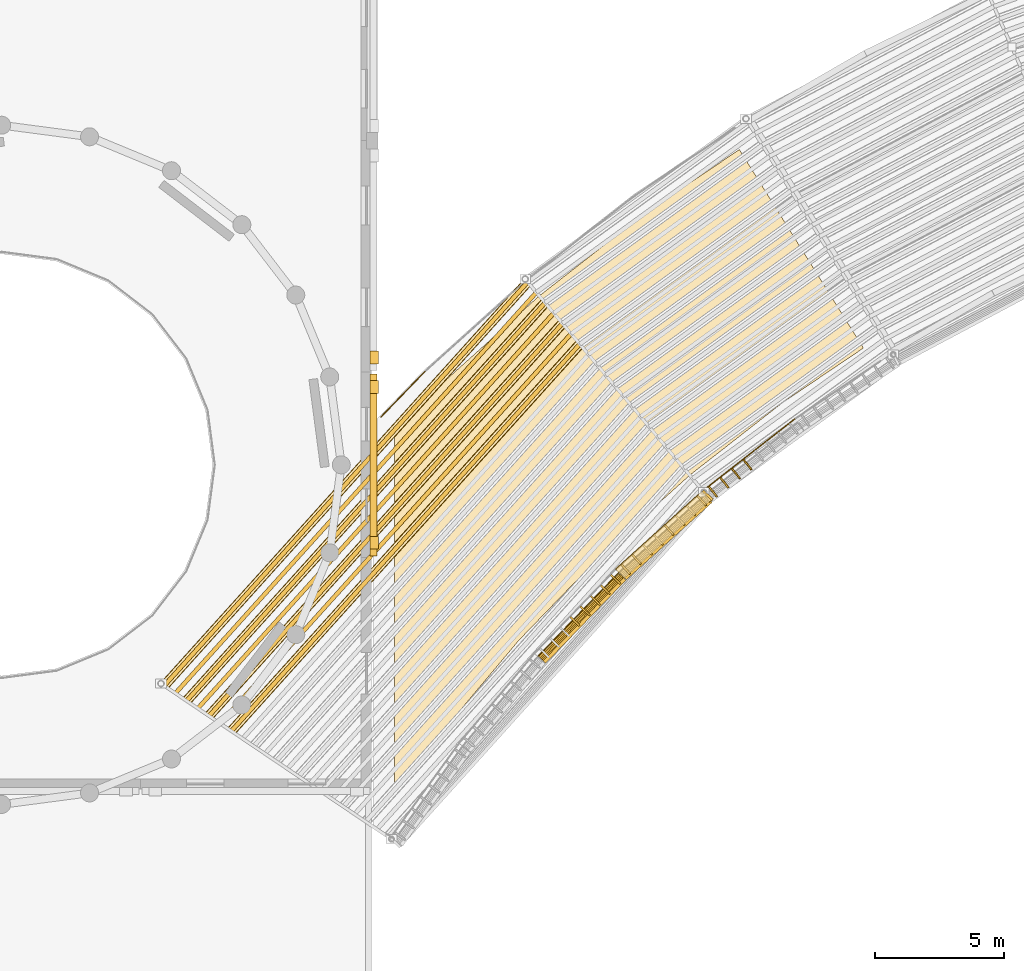
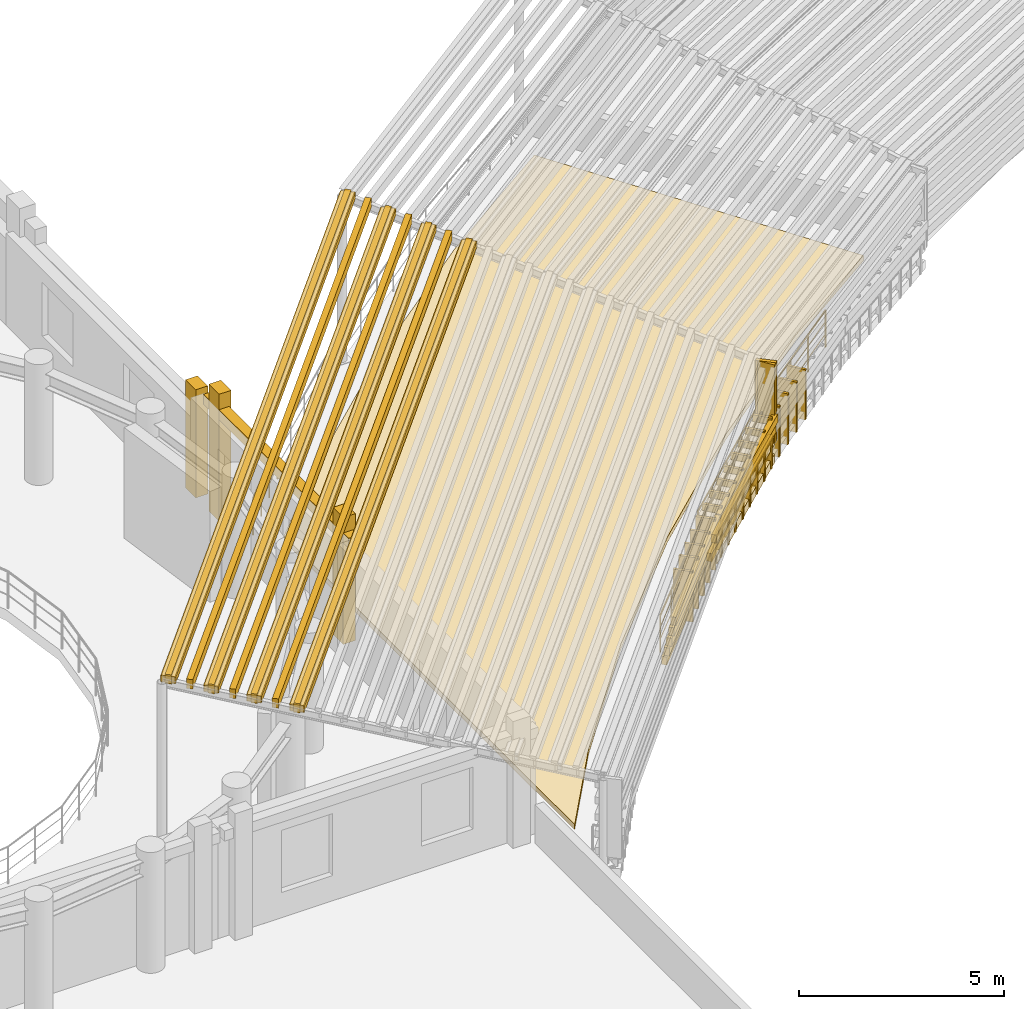
# One storey, part 64 of 74: 38 shading devices, 22 coverings, 5 railings.
"""IFC4 building model written with IfcOpenShell, lengths in metres."""

from ifc_helpers import new_model, si_unit, direction, frame, frame_2d, origin, origin_2d, place, context, subcontext, project, spatial, polyline, rectangle, circle, outline, extrude, material, layer, layer_set, type_object, element, save


model = new_model("IFC4")

# Units and contexts
model_context = context("Model", 3, precision=1e-05, world=origin(), true_north=direction((0.0, 1.0)))
body_context = subcontext(model_context, "Body", "Model", "MODEL_VIEW")
ifc_project = project(units=[si_unit("LENGTHUNIT", "METRE"), si_unit("AREAUNIT", "SQUARE_METRE"), si_unit("VOLUMEUNIT", "CUBIC_METRE"), si_unit("PLANEANGLEUNIT", "RADIAN"), si_unit("MASSUNIT", "GRAM", prefix="KILO")], contexts=[model_context])

# Site, building, storey
site_placement = place(None, origin())
site = spatial("IfcSite", under=ifc_project, at=site_placement, CompositionType="ELEMENT")
building_placement = place(site_placement, origin())
building = spatial("IfcBuilding", under=site, at=building_placement, Name="Clarverna Civic Hall", CompositionType="ELEMENT")
storey_placement = place(building_placement, frame((0.0, 0.0, 13.199951171875)))
storey = spatial("IfcBuildingStorey", under=building, at=storey_placement, Name="L03", CompositionType="ELEMENT", Elevation=13.199951171875)

# Coverings
ifc_material_1 = material(Name="Thermally Modified Teak Wood Slat Fascia Cladding", Category="wood")
ifc_layer_1 = layer(ifc_material_1, 0.080078125)
ifc_layer_set_1 = layer_set([ifc_layer_1], Name="Thermally Modified Teak Wood Slat Fascia Cladding")
covering_type_1 = type_object("IfcCoveringType", Name="CV-CL1", PredefinedType="CLADDING", material=ifc_layer_set_1)
covering_1_placement = place(storey_placement, frame((110.738037109375, 58.5029296875, -0.35986328125), z_axis=(0.0, 0.0, 1.0), x_axis=(0.615662990837, -0.788009569557, 0.0)))
element("IfcCovering", 1, at=covering_1_placement, inside=storey, type_object=covering_type_1, Name="CV-CL1-159", PredefinedType="CLADDING", context=body_context, shape_type="SweptSolid", body=[
    extrude(rectangle(XDim=0.5, YDim=0.070068359375, at=frame_2d((0.25, 0.0))), origin(), (0.0, 0.0, 1.0), 1.52001953125),
])
covering_2_placement = place(storey_placement, frame((110.289794921875, 58.152587890625, -0.35986328125), z_axis=(0.0, 0.0, 1.0), x_axis=(0.615596635764, -0.788061407529, 0.0)))
element("IfcCovering", 2, at=covering_2_placement, inside=storey, type_object=covering_type_1, Name="CV-CL1-160", PredefinedType="CLADDING", context=body_context, shape_type="SweptSolid", body=[
    extrude(rectangle(XDim=0.499755859375, YDim=0.070068359375, at=frame_2d((0.25, 0.0))), origin(), (0.0, 0.0, 1.0), 1.52001953125),
])
for number, where, z_axis, x_axis, name in (
    (3, (110.210693359375, 57.812255859375, -0.3798828125), (0.0, 0.0, 1.0), (-0.743152754179, -0.669121800539, 0.0), "CV-CL1-161"),
    (4, (110.210693359375, 57.812255859375, 0.16015625), (0.0, 0.0, 1.0), (-0.743152754179, -0.669121800539, 0.0), "CV-CL1-162"),
):
    element("IfcCovering", number, at=place(storey_placement, frame(where, z_axis=z_axis, x_axis=x_axis)), inside=storey, type_object=covering_type_1, Name=name, PredefinedType="CLADDING", context=body_context, shape_type="SweptSolid", body=[
        extrude(rectangle(XDim=4.551025390625, YDim=0.5, at=frame_2d((2.275390625, 0.0))), origin(), (0.0, 0.0, 1.0), 0.260009765625),
    ])
covering_3_placement = place(storey_placement, frame((110.210693359375, 57.812255859375, 0.679931640625), z_axis=(0.0, 0.0, 1.0), x_axis=(-0.743152754179, -0.669121800539, 0.0)))
element("IfcCovering", 5, at=covering_3_placement, inside=storey, type_object=covering_type_1, Name="CV-CL1-163", PredefinedType="CLADDING", context=body_context, shape_type="SweptSolid", body=[
    extrude(rectangle(XDim=4.551025390625, YDim=0.5, at=frame_2d((2.275390625, 0.0))), origin(), (0.0, 0.0, 1.0), 0.280029296875),
])
for number, where, z_axis, x_axis, name in (
    (6, (109.85205078125, 57.785400390625, -0.35986328125), (0.0, 0.0, 1.0), (0.66928832033, -0.743002788871, 0.0), "CV-CL1-164"),
    (7, (108.583984375, 56.6435546875, -0.35986328125), (0.0, 0.0, 1.0), (0.669018689507, -0.743245580606, 0.0), "CV-CL1-165"),
    (8, (107.315673828125, 55.501708984375, -0.35986328125), (0.0, 0.0, 1.0), (0.669018689507, -0.743245580606, 0.0), "CV-CL1-166"),
    (9, (106.892822265625, 55.12109375, -0.35986328125), (0.0, 0.0, 1.0), (0.66928832033, -0.743002788871, 0.0), "CV-CL1-167"),
):
    element("IfcCovering", number, at=place(storey_placement, frame(where, z_axis=z_axis, x_axis=x_axis)), inside=storey, type_object=covering_type_1, Name=name, PredefinedType="CLADDING", context=body_context, shape_type="SweptSolid", body=[
        extrude(rectangle(XDim=0.5, YDim=0.070068359375, at=frame_2d((0.25, 0.0))), origin(), (0.0, 0.0, 1.0), 1.52001953125),
    ])
covering_4_placement = place(storey_placement, frame((106.48193359375, 54.72412109375, -0.35986328125), z_axis=(0.0, 0.0, 1.0), x_axis=(0.719451954483, -0.694542212678, 0.0)))
element("IfcCovering", 10, at=covering_4_placement, inside=storey, type_object=covering_type_1, Name="CV-CL1-171", PredefinedType="CLADDING", context=body_context, shape_type="SweptSolid", body=[
    extrude(rectangle(XDim=0.499755859375, YDim=0.070068359375, at=frame_2d((0.25, 0.0))), origin(), (0.0, 0.0, 1.0), 1.52001953125),
])
covering_5_placement = place(storey_placement, frame((105.29638671875, 53.49658203125, -0.35986328125), z_axis=(0.0, 0.0, 1.0), x_axis=(0.719443510063, -0.69455095985, 0.0)))
element("IfcCovering", 11, at=covering_5_placement, inside=storey, type_object=covering_type_1, Name="CV-CL1-172", PredefinedType="CLADDING", context=body_context, shape_type="SweptSolid", body=[
    extrude(rectangle(XDim=0.500244140625, YDim=0.070068359375, at=frame_2d((0.25, 0.0))), origin(), (0.0, 0.0, 1.0), 1.52001953125),
])
for number, where, z_axis, x_axis, name in (
    (12, (110.060791015625, 57.986572265625, 0.25), (0.0, 0.0, 1.0), (0.58783009415, -0.808984412959, 0.0), "CV-CL1-196"),
    (13, (110.052978515625, 57.9794921875, 0.25), (0.0, 0.0, 1.0), (0.743008419949, -0.669282069, 0.0), "CV-CL1-197"),
):
    element("IfcCovering", number, at=place(storey_placement, frame(where, z_axis=z_axis, x_axis=x_axis)), inside=storey, type_object=covering_type_1, Name=name, PredefinedType="CLADDING", context=body_context, shape_type="SweptSolid", body=[
        extrude(rectangle(XDim=0.510009765625, YDim=0.10009765625, at=frame_2d((0.2548828125, 0.0))), origin(), (0.0, 0.0, 1.0), 2.35009765625),
    ])
covering_6_placement = place(storey_placement, frame((105.269287109375, 63.69140625, 4.155029296875), z_axis=(0.0, 0.0, 1.0), x_axis=(-0.669128690665, -0.743146550372, 0.0)))
element("IfcCovering", 14, at=covering_6_placement, inside=storey, type_object=covering_type_1, Name="CV-CL1-238", PredefinedType="CLADDING", context=body_context, shape_type="SweptSolid", body=[
    extrude(rectangle(XDim=20.235595703125, YDim=0.340087890625, at=frame_2d((10.11767578125, 0.0))), origin(), (0.0, 0.0, 1.0), 0.219970703125),
])
covering_7_placement = place(storey_placement, frame((104.594482421875, 64.495849609375, 4.39013671875), z_axis=(0.0, 0.0, 1.0), x_axis=(-0.669132924142, -0.74314273853, 0.0)))
element("IfcCovering", 15, at=covering_7_placement, inside=storey, type_object=covering_type_1, Name="CV-CL1-243", PredefinedType="CLADDING", context=body_context, shape_type="SweptSolid", body=[
    extrude(rectangle(XDim=20.528076171875, YDim=0.340087890625, at=frame_2d((10.26416015625, 0.0))), origin(), (0.0, 0.0, 1.0), 0.219970703125),
])
covering_8_placement = place(storey_placement, frame((103.91943359375, 65.300048828125, 4.625), z_axis=(0.0, 0.0, 1.0), x_axis=(-0.669129917918, -0.743145445351, 0.0)))
element("IfcCovering", 16, at=covering_8_placement, inside=storey, type_object=covering_type_1, Name="CV-CL1-248", PredefinedType="CLADDING", context=body_context, shape_type="SweptSolid", body=[
    extrude(rectangle(XDim=20.820068359375, YDim=0.340087890625, at=frame_2d((10.41015625, 0.0))), origin(), (0.0, 0.0, 1.0), 0.219970703125),
])
covering_9_placement = place(storey_placement, frame((103.24462890625, 66.1044921875, 4.860107421875), z_axis=(0.0, 0.0, 1.0), x_axis=(-0.66913401719, -0.743141754337, 0.0)))
element("IfcCovering", 17, at=covering_9_placement, inside=storey, type_object=covering_type_1, Name="CV-CL1-253", PredefinedType="CLADDING", context=body_context, shape_type="SweptSolid", body=[
    extrude(rectangle(XDim=21.112548828125, YDim=0.340087890625, at=frame_2d((10.55615234375, 0.0))), origin(), (0.0, 0.0, 1.0), 0.219970703125),
])
ifc_material_2 = material(Name="Montjuic Buff Limestone Ashlar Cladding", Category="masonry")
ifc_layer_2 = layer(ifc_material_2, 0.070068359375)
ifc_layer_set_2 = layer_set([ifc_layer_2], Name="Montjuic Buff Limestone Ashlar Cladding")
covering_type_2 = type_object("IfcCoveringType", Name="CV-CL2", PredefinedType="CLADDING", material=ifc_layer_set_2)
covering_10_placement = place(storey_placement, frame((97.284912109375, 63.419921875, 0.0), z_axis=(0.0, 0.0, 1.0), x_axis=(0.0, -1.0, 0.0)))
element("IfcCovering", 18, at=covering_10_placement, inside=storey, type_object=covering_type_2, Name="CV-CL2-601", PredefinedType="CLADDING", context=body_context, shape_type="SweptSolid", body=[
    extrude(rectangle(XDim=0.5, YDim=0.340087890625, at=frame_2d((0.25, 0.0))), origin(), (0.0, 0.0, 1.0), 3.219970703125),
])
covering_11_placement = place(storey_placement, frame((97.2548828125, 62.5400390625, 3.02001953125), z_axis=(0.0, 0.0, 1.0), x_axis=(0.0, -1.0, 0.0)))
element("IfcCovering", 19, at=covering_11_placement, inside=storey, type_object=covering_type_2, Name="CV-CL2-602", PredefinedType="CLADDING", context=body_context, shape_type="SweptSolid", body=[
    extrude(rectangle(XDim=7.080078125, YDim=0.280029296875, at=frame_2d((3.5400390625, 0.0))), origin(), (0.0, 0.0, 1.0), 0.300048828125),
])
for number, where, z_axis, x_axis, name in (
    (20, (97.284912109375, 62.280029296875, 0.0), (0.0, 0.0, 1.0), (0.0, -1.0, 0.0), "CV-CL2-603"),
    (21, (97.284912109375, 56.219970703125, 0.0), (0.0, 0.0, 1.0), (0.0, -1.0, 0.0), "CV-CL2-604"),
):
    element("IfcCovering", number, at=place(storey_placement, frame(where, z_axis=z_axis, x_axis=x_axis)), inside=storey, type_object=covering_type_2, Name=name, PredefinedType="CLADDING", context=body_context, shape_type="SweptSolid", body=[
        extrude(rectangle(XDim=0.5, YDim=0.340087890625, at=frame_2d((0.25, 0.0))), origin(), (0.0, 0.0, 1.0), 3.780029296875),
    ])
ifc_material_3 = material(Name="Planted Civic Terrace Vegetated Substrate and Drainage Build-Up")
ifc_layer_3 = layer(ifc_material_3, 0.25)
ifc_layer_set_3 = layer_set([ifc_layer_3], Name="Planted Civic Terrace Vegetated Substrate and Drainage Build-Up")
covering_type_3 = type_object("IfcCoveringType", Name="CV-RF1", PredefinedType="ROOFING", material=ifc_layer_set_3)
covering_12_placement = place(storey_placement, frame((0.0, 0.0, -0.02001953125)))
element("IfcCovering", 22, at=covering_12_placement, inside=storey, type_object=covering_type_3, Name="CV-RF1-010", PredefinedType="ROOFING", context=body_context, shape_type="SweptSolid", body=[
    extrude(outline(polyline([(98.074951171875, 46.08203125), (98.074951171875, 60.27490234375), (99.796875, 62.05810546875), (103.69482421875, 65.56787109375), (107.828125, 68.797119140625), (111.4716796875, 71.2548828125), (116.29345703125, 63.538330078125), (113.153076171875, 61.417724609375), (109.56689453125, 58.615966796875), (106.139404296875, 55.53271484375), (102.89599609375, 52.173583984375), (99.970703125, 48.6875), (98.074951171875, 46.08203125)])), origin(), (0.0, 0.0, 1.0), 0.16015625),
])

# Railings
ifc_material_4 = material(Name="Anodised Bronze Architectural Balustrade")
railing_type_1 = type_object("IfcRailingType", Name="GR-01", PredefinedType="BALUSTRADE", material=ifc_material_4)
railing_1_placement = place(storey_placement, frame((97.5380859375, 60.856201171875, 0.0)))
element("IfcRailing", 23, at=railing_1_placement, inside=storey, type_object=railing_type_1, Name="GR-01-025", PredefinedType="BALUSTRADE", context=body_context, shape_type="SweptSolid", body=[
    extrude(circle(Radius=0.02392578125, at=origin_2d()), frame((0.0, 0.0, 1.09619140625), z_axis=(0.694659953729, 0.719338271389, 0.0), x_axis=(-0.719338271389, 0.694659953729, 0.0)), (0.0, 0.0, 1.0), 2.46337890625),
    extrude(circle(Radius=0.011962890625, at=origin_2d()), frame((0.0, 0.0, 0.39208984375), z_axis=(0.694659953729, 0.719338271389, 0.0), x_axis=(-0.719338271389, 0.694659953729, 0.0)), (0.0, 0.0, 1.0), 2.46337890625),
    extrude(circle(Radius=0.011962890625, at=origin_2d()), frame((0.0, 0.0, 0.76171875), z_axis=(0.694659953729, 0.719338271389, 0.0), x_axis=(-0.719338271389, 0.694659953729, 0.0)), (0.0, 0.0, 1.0), 2.46337890625),
    extrude(circle(Radius=0.02099609375, at=origin_2d()), origin(), (0.0, 0.0, 1.0), 1.072021484375),
    extrude(circle(Radius=0.02099609375, at=origin_2d()), frame((0.5703125, 0.590576171875, 0.0)), (0.0, 0.0, 1.0), 1.072021484375),
    extrude(circle(Radius=0.02099609375, at=origin_2d()), frame((1.140869140625, 1.181396484375, 0.0)), (0.0, 0.0, 1.0), 1.072021484375),
    extrude(circle(Radius=0.02099609375, at=origin_2d()), frame((1.711181640625, 1.77197265625, 0.0)), (0.0, 0.0, 1.0), 1.072021484375),
])
railing_2_placement = place(storey_placement, frame((113.639404296875, 60.795166015625, 0.0)))
element("IfcRailing", 24, at=railing_2_placement, inside=storey, type_object=railing_type_1, Name="GR-01-030", PredefinedType="BALUSTRADE", context=body_context, shape_type="SweptSolid", body=[
    extrude(circle(Radius=0.02392578125, at=origin_2d()), frame((0.0, 0.0, 1.09619140625), z_axis=(-0.788018680422, -0.61565132933, 0.0), x_axis=(0.61565132933, -0.788018680422, 0.0)), (0.0, 0.0, 1.0), 4.55078125),
    extrude(circle(Radius=0.011962890625, at=origin_2d()), frame((0.0, 0.0, 0.39208984375), z_axis=(-0.788018680422, -0.61565132933, 0.0), x_axis=(0.61565132933, -0.788018680422, 0.0)), (0.0, 0.0, 1.0), 4.55078125),
    extrude(circle(Radius=0.011962890625, at=origin_2d()), frame((0.0, 0.0, 0.76171875), z_axis=(-0.788018680422, -0.61565132933, 0.0), x_axis=(0.61565132933, -0.788018680422, 0.0)), (0.0, 0.0, 1.0), 4.55078125),
    extrude(circle(Radius=0.02099609375, at=origin_2d()), origin(), (0.0, 0.0, 1.0), 1.072021484375),
    extrude(circle(Radius=0.02099609375, at=origin_2d()), frame((-0.896484375, -0.700439453125, 0.0)), (0.0, 0.0, 1.0), 1.072021484375),
    extrude(circle(Radius=0.02099609375, at=origin_2d()), frame((-1.79296875, -1.40087890625, 0.0)), (0.0, 0.0, 1.0), 1.072021484375),
    extrude(circle(Radius=0.02099609375, at=origin_2d()), frame((-2.689697265625, -2.101318359375, 0.0)), (0.0, 0.0, 1.0), 1.072021484375),
    extrude(circle(Radius=0.02099609375, at=origin_2d()), frame((-3.586181640625, -2.8017578125, 0.0)), (0.0, 0.0, 1.0), 1.072021484375),
])
railing_3_placement = place(storey_placement, frame((110.050048828125, 57.99072265625, 0.0)))
element("IfcRailing", 25, at=railing_3_placement, inside=storey, type_object=railing_type_1, Name="GR-01-031", PredefinedType="BALUSTRADE", context=body_context, shape_type="SweptSolid", body=[
    extrude(circle(Radius=0.02392578125, at=origin_2d()), frame((0.0, 0.0, 1.09619140625), z_axis=(-0.743128734312, -0.669148476976, 0.0), x_axis=(0.669148476976, -0.743128734312, 0.0)), (0.0, 0.0, 1.0), 4.55078125),
    extrude(circle(Radius=0.011962890625, at=origin_2d()), frame((0.0, 0.0, 0.39208984375), z_axis=(-0.743128734312, -0.669148476976, 0.0), x_axis=(0.669148476976, -0.743128734312, 0.0)), (0.0, 0.0, 1.0), 4.55078125),
    extrude(circle(Radius=0.011962890625, at=origin_2d()), frame((0.0, 0.0, 0.76171875), z_axis=(-0.743128734312, -0.669148476976, 0.0), x_axis=(0.669148476976, -0.743128734312, 0.0)), (0.0, 0.0, 1.0), 4.55078125),
    extrude(circle(Radius=0.02099609375, at=origin_2d()), origin(), (0.0, 0.0, 1.0), 1.072021484375),
    extrude(circle(Radius=0.02099609375, at=origin_2d()), frame((-0.845458984375, -0.76123046875, 0.0)), (0.0, 0.0, 1.0), 1.072021484375),
    extrude(circle(Radius=0.02099609375, at=origin_2d()), frame((-1.69091796875, -1.5224609375, 0.0)), (0.0, 0.0, 1.0), 1.072021484375),
    extrude(circle(Radius=0.02099609375, at=origin_2d()), frame((-2.536376953125, -2.283935546875, 0.0)), (0.0, 0.0, 1.0), 1.072021484375),
    extrude(circle(Radius=0.02099609375, at=origin_2d()), frame((-3.3818359375, -3.045166015625, 0.0)), (0.0, 0.0, 1.0), 1.072021484375),
])
ifc_material_5 = material(Name="Thermally Modified Teak Wood Slat Fascia Rail", Category="wood")
railing_type_2 = type_object("IfcRailingType", Name="GR-03", PredefinedType="BALUSTRADE", material=ifc_material_5)
railing_4_placement = place(storey_placement, frame((110.148193359375, 57.8369140625, 0.0)))
element("IfcRailing", 26, at=railing_4_placement, inside=storey, type_object=railing_type_2, Name="GR-03-014", PredefinedType="BALUSTRADE", context=body_context, shape_type="SweptSolid", body=[
    extrude(circle(Radius=0.02392578125, at=origin_2d()), frame((0.0, 0.0, 1.09619140625), z_axis=(-0.743131938688, -0.669144918311, 0.0), x_axis=(0.669144918311, -0.743131938688, 0.0)), (0.0, 0.0, 1.0), 4.490966796875),
    extrude(circle(Radius=0.011962890625, at=origin_2d()), frame((0.0, 0.0, 0.39208984375), z_axis=(-0.743131938688, -0.669144918311, 0.0), x_axis=(0.669144918311, -0.743131938688, 0.0)), (0.0, 0.0, 1.0), 4.490966796875),
    extrude(circle(Radius=0.011962890625, at=origin_2d()), frame((0.0, 0.0, 0.76171875), z_axis=(-0.743131938688, -0.669144918311, 0.0), x_axis=(0.669144918311, -0.743131938688, 0.0)), (0.0, 0.0, 1.0), 4.490966796875),
    extrude(circle(Radius=0.02099609375, at=origin_2d()), origin(), (0.0, 0.0, 1.0), 1.072021484375),
    extrude(circle(Radius=0.02099609375, at=origin_2d()), frame((-0.83447265625, -0.751220703125, 0.0)), (0.0, 0.0, 1.0), 1.072021484375),
    extrude(circle(Radius=0.02099609375, at=origin_2d()), frame((-1.668701171875, -1.50244140625, 0.0)), (0.0, 0.0, 1.0), 1.072021484375),
    extrude(circle(Radius=0.02099609375, at=origin_2d()), frame((-2.5029296875, -2.25390625, 0.0)), (0.0, 0.0, 1.0), 1.072021484375),
    extrude(circle(Radius=0.02099609375, at=origin_2d()), frame((-3.33740234375, -3.005126953125, 0.0)), (0.0, 0.0, 1.0), 1.072021484375),
])
railing_5_placement = place(storey_placement, frame((106.773681640625, 54.796142578125, 0.0)))
element("IfcRailing", 27, at=railing_5_placement, inside=storey, type_object=railing_type_2, Name="GR-03-015", PredefinedType="BALUSTRADE", context=body_context, shape_type="SweptSolid", body=[
    extrude(circle(Radius=0.02392578125, at=origin_2d()), frame((0.0, 0.0, 1.09619140625), z_axis=(-0.694603245273, -0.71939303003, 0.0), x_axis=(0.71939303003, -0.694603245273, 0.0)), (0.0, 0.0, 1.0), 4.490966796875),
    extrude(circle(Radius=0.011962890625, at=origin_2d()), frame((0.0, 0.0, 0.39208984375), z_axis=(-0.694603245273, -0.71939303003, 0.0), x_axis=(0.71939303003, -0.694603245273, 0.0)), (0.0, 0.0, 1.0), 4.490966796875),
    extrude(circle(Radius=0.011962890625, at=origin_2d()), frame((0.0, 0.0, 0.76171875), z_axis=(-0.694603245273, -0.71939303003, 0.0), x_axis=(0.71939303003, -0.694603245273, 0.0)), (0.0, 0.0, 1.0), 4.490966796875),
    extrude(circle(Radius=0.02099609375, at=origin_2d()), origin(), (0.0, 0.0, 1.0), 1.072021484375),
    extrude(circle(Radius=0.02099609375, at=origin_2d()), frame((-0.77978515625, -0.8076171875, 0.0)), (0.0, 0.0, 1.0), 1.072021484375),
    extrude(circle(Radius=0.02099609375, at=origin_2d()), frame((-1.5595703125, -1.615234375, 0.0)), (0.0, 0.0, 1.0), 1.072021484375),
    extrude(circle(Radius=0.02099609375, at=origin_2d()), frame((-2.339599609375, -2.423095703125, 0.0)), (0.0, 0.0, 1.0), 1.072021484375),
    extrude(circle(Radius=0.02099609375, at=origin_2d()), frame((-3.119384765625, -3.230712890625, 0.0)), (0.0, 0.0, 1.0), 1.072021484375),
])

# Shading devices
ifc_material_6 = material(Name="Thermally Modified Teak Wood Slats", Category="wood")
ifc_layer_4 = layer(ifc_material_6, 0.06494140625)
ifc_layer_set_4 = layer_set([ifc_layer_4], Name="Thermally Modified Teak Wood Slats")
shading_device_type = type_object("IfcShadingDeviceType", Name="SD-WD1", PredefinedType="JALOUSIE", material=ifc_layer_set_4)
for number, where, z_axis, x_axis, name in (
    (28, (111.634521484375, 59.203369140625, -0.35986328125), (0.0, 0.0, 1.0), (0.615662990837, -0.788009569557, 0.0), "SD-WD1-197"),
    (29, (111.186279296875, 58.853271484375, -0.35986328125), (0.0, 0.0, 1.0), (0.615662990837, -0.788009569557, 0.0), "SD-WD1-198"),
    (30, (110.738037109375, 58.5029296875, -0.35986328125), (0.0, 0.0, 1.0), (0.615662990837, -0.788009569557, 0.0), "SD-WD1-199"),
):
    element("IfcShadingDevice", number, at=place(storey_placement, frame(where, z_axis=z_axis, x_axis=x_axis)), inside=storey, type_object=shading_device_type, Name=name, PredefinedType="JALOUSIE", context=body_context, shape_type="SweptSolid", body=[
        extrude(rectangle(XDim=0.5, YDim=0.06494140625, at=frame_2d((0.25, 0.0))), origin(), (0.0, 0.0, 1.0), 1.5),
    ])
shading_device_1_placement = place(storey_placement, frame((110.289794921875, 58.152587890625, -0.35986328125), z_axis=(0.0, 0.0, 1.0), x_axis=(0.615596635764, -0.788061407529, 0.0)))
element("IfcShadingDevice", 31, at=shading_device_1_placement, inside=storey, type_object=shading_device_type, Name="SD-WD1-200", PredefinedType="JALOUSIE", context=body_context, shape_type="SweptSolid", body=[
    extrude(rectangle(XDim=0.499755859375, YDim=0.06494140625, at=frame_2d((0.25, 0.0))), origin(), (0.0, 0.0, 1.0), 1.5),
])
shading_device_2_placement = place(storey_placement, frame((110.215087890625, 57.762451171875, -0.35986328125), z_axis=(0.0, 0.0, 1.0), x_axis=(-0.743158971398, -0.669114895389, 0.0)))
element("IfcShadingDevice", 32, at=shading_device_2_placement, inside=storey, type_object=shading_device_type, Name="SD-WD1-201", PredefinedType="JALOUSIE", context=body_context, shape_type="SweptSolid", body=[
    extrude(rectangle(XDim=4.49072265625, YDim=0.139892578125, at=frame_2d((2.245361328125, 0.0))), origin(), (0.0, 0.0, 1.0), 0.239990234375),
])
shading_device_3_placement = place(storey_placement, frame((110.25537109375, 57.718017578125, -0.079833984375), z_axis=(0.0, 0.0, 1.0), x_axis=(-0.743131938688, -0.669144918311, 0.0)))
element("IfcShadingDevice", 33, at=shading_device_3_placement, inside=storey, type_object=shading_device_type, Name="SD-WD1-202", PredefinedType="JALOUSIE", context=body_context, shape_type="SweptSolid", body=[
    extrude(rectangle(XDim=4.490966796875, YDim=0.139892578125, at=frame_2d((2.24560546875, 0.0))), origin(), (0.0, 0.0, 1.0), 0.239990234375),
])
shading_device_4_placement = place(storey_placement, frame((110.29541015625, 57.67333984375, 0.219970703125), z_axis=(0.0, 0.0, 1.0), x_axis=(-0.743158971398, -0.669114895389, 0.0)))
element("IfcShadingDevice", 34, at=shading_device_4_placement, inside=storey, type_object=shading_device_type, Name="SD-WD1-203", PredefinedType="JALOUSIE", context=body_context, shape_type="SweptSolid", body=[
    extrude(rectangle(XDim=4.49072265625, YDim=0.139892578125, at=frame_2d((2.245361328125, 0.0))), origin(), (0.0, 0.0, 1.0), 0.239990234375),
])
shading_device_5_placement = place(storey_placement, frame((110.335693359375, 57.62890625, 0.5400390625), z_axis=(0.0, 0.0, 1.0), x_axis=(-0.743131938688, -0.669144918311, 0.0)))
element("IfcShadingDevice", 35, at=shading_device_5_placement, inside=storey, type_object=shading_device_type, Name="SD-WD1-204", PredefinedType="JALOUSIE", context=body_context, shape_type="SweptSolid", body=[
    extrude(rectangle(XDim=4.490966796875, YDim=0.139892578125, at=frame_2d((2.24560546875, 0.0))), origin(), (0.0, 0.0, 1.0), 0.239990234375),
])
shading_device_6_placement = place(storey_placement, frame((110.368896484375, 57.591552734375, 0.860107421875), z_axis=(0.0, 0.0, 1.0), x_axis=(-0.743134630257, -0.669141929125, 0.0)))
element("IfcShadingDevice", 36, at=shading_device_6_placement, inside=storey, type_object=shading_device_type, Name="SD-WD1-205", PredefinedType="JALOUSIE", context=body_context, shape_type="SweptSolid", body=[
    extrude(rectangle(XDim=4.49072265625, YDim=0.139892578125, at=frame_2d((2.245361328125, 0.0))), origin(), (0.0, 0.0, 1.0), 0.239990234375),
])
for number, where, z_axis, x_axis, name in (
    (37, (109.85205078125, 57.785400390625, -0.35986328125), (0.0, 0.0, 1.0), (0.66928832033, -0.743002788871, 0.0), "SD-WD1-206"),
    (38, (109.42919921875, 57.40478515625, -0.35986328125), (0.0, 0.0, 1.0), (0.66928832033, -0.743002788871, 0.0), "SD-WD1-207"),
    (39, (109.006591796875, 57.024169921875, -0.35986328125), (0.0, 0.0, 1.0), (0.66928832033, -0.743002788871, 0.0), "SD-WD1-208"),
    (40, (108.583984375, 56.6435546875, -0.35986328125), (0.0, 0.0, 1.0), (0.669018689507, -0.743245580606, 0.0), "SD-WD1-209"),
    (41, (108.1611328125, 56.262939453125, -0.35986328125), (0.0, 0.0, 1.0), (0.669018689507, -0.743245580606, 0.0), "SD-WD1-210"),
    (42, (107.73828125, 55.88232421875, -0.35986328125), (0.0, 0.0, 1.0), (0.66928832033, -0.743002788871, 0.0), "SD-WD1-211"),
    (43, (107.315673828125, 55.501708984375, -0.35986328125), (0.0, 0.0, 1.0), (0.669018689507, -0.743245580606, 0.0), "SD-WD1-212"),
    (44, (106.892822265625, 55.12109375, -0.35986328125), (0.0, 0.0, 1.0), (0.66928832033, -0.743002788871, 0.0), "SD-WD1-213"),
):
    element("IfcShadingDevice", number, at=place(storey_placement, frame(where, z_axis=z_axis, x_axis=x_axis)), inside=storey, type_object=shading_device_type, Name=name, PredefinedType="JALOUSIE", context=body_context, shape_type="SweptSolid", body=[
        extrude(rectangle(XDim=0.5, YDim=0.06494140625, at=frame_2d((0.25, 0.0))), origin(), (0.0, 0.0, 1.0), 1.5),
    ])
for number, where, z_axis, x_axis, name in (
    (45, (106.845703125, 54.7265625, -0.35986328125), (0.0, 0.0, 1.0), (-0.694658542948, -0.719339633768, 0.0), "SD-WD1-214"),
    (46, (106.888916015625, 54.684814453125, -0.079833984375), (0.0, 0.0, 1.0), (-0.694658542948, -0.719339633768, 0.0), "SD-WD1-215"),
    (47, (106.931884765625, 54.643310546875, 0.219970703125), (0.0, 0.0, 1.0), (-0.694603245273, -0.71939303003, 0.0), "SD-WD1-216"),
):
    element("IfcShadingDevice", number, at=place(storey_placement, frame(where, z_axis=z_axis, x_axis=x_axis)), inside=storey, type_object=shading_device_type, Name=name, PredefinedType="JALOUSIE", context=body_context, shape_type="SweptSolid", body=[
        extrude(rectangle(XDim=4.490966796875, YDim=0.139892578125, at=frame_2d((2.24560546875, 0.0))), origin(), (0.0, 0.0, 1.0), 0.239990234375),
    ])
shading_device_7_placement = place(storey_placement, frame((106.97509765625, 54.6015625, 0.5400390625), z_axis=(0.0, 0.0, 1.0), x_axis=(-0.694630410918, -0.719366799504, 0.0)))
element("IfcShadingDevice", 48, at=shading_device_7_placement, inside=storey, type_object=shading_device_type, Name="SD-WD1-217", PredefinedType="JALOUSIE", context=body_context, shape_type="SweptSolid", body=[
    extrude(rectangle(XDim=4.49072265625, YDim=0.139892578125, at=frame_2d((2.245361328125, 0.0))), origin(), (0.0, 0.0, 1.0), 0.239990234375),
])
shading_device_8_placement = place(storey_placement, frame((107.01123046875, 54.56689453125, 0.860107421875), z_axis=(0.0, 0.0, 1.0), x_axis=(-0.694631378255, -0.719365865429, 0.0)))
element("IfcShadingDevice", 49, at=shading_device_8_placement, inside=storey, type_object=shading_device_type, Name="SD-WD1-218", PredefinedType="JALOUSIE", context=body_context, shape_type="SweptSolid", body=[
    extrude(rectangle(XDim=4.490966796875, YDim=0.139892578125, at=frame_2d((2.24560546875, 0.0))), origin(), (0.0, 0.0, 1.0), 0.239990234375),
])
for number, where, z_axis, x_axis, name in (
    (50, (106.48193359375, 54.72412109375, -0.35986328125), (0.0, 0.0, 1.0), (0.719451954483, -0.694542212678, 0.0), "SD-WD1-219"),
    (51, (106.0869140625, 54.31494140625, -0.35986328125), (0.0, 0.0, 1.0), (0.719451954483, -0.694542212678, 0.0), "SD-WD1-220"),
    (52, (105.691650390625, 53.90576171875, -0.35986328125), (0.0, 0.0, 1.0), (0.719451954483, -0.694542212678, 0.0), "SD-WD1-221"),
):
    element("IfcShadingDevice", number, at=place(storey_placement, frame(where, z_axis=z_axis, x_axis=x_axis)), inside=storey, type_object=shading_device_type, Name=name, PredefinedType="JALOUSIE", context=body_context, shape_type="SweptSolid", body=[
        extrude(rectangle(XDim=0.499755859375, YDim=0.06494140625, at=frame_2d((0.25, 0.0))), origin(), (0.0, 0.0, 1.0), 1.5),
    ])
shading_device_9_placement = place(storey_placement, frame((105.29638671875, 53.49658203125, -0.35986328125), z_axis=(0.0, 0.0, 1.0), x_axis=(0.719443510063, -0.69455095985, 0.0)))
element("IfcShadingDevice", 53, at=shading_device_9_placement, inside=storey, type_object=shading_device_type, Name="SD-WD1-222", PredefinedType="JALOUSIE", context=body_context, shape_type="SweptSolid", body=[
    extrude(rectangle(XDim=0.500244140625, YDim=0.06494140625, at=frame_2d((0.25, 0.0))), origin(), (0.0, 0.0, 1.0), 1.5),
])
shading_device_10_placement = place(storey_placement, frame((104.9013671875, 53.08740234375, -0.35986328125), z_axis=(0.0, 0.0, 1.0), x_axis=(0.719207931252, -0.694794898962, 0.0)))
element("IfcShadingDevice", 54, at=shading_device_10_placement, inside=storey, type_object=shading_device_type, Name="SD-WD1-223", PredefinedType="JALOUSIE", context=body_context, shape_type="SweptSolid", body=[
    extrude(rectangle(XDim=0.5, YDim=0.06494140625, at=frame_2d((0.25, 0.0))), origin(), (0.0, 0.0, 1.0), 1.5),
])
shading_device_11_placement = place(storey_placement, frame((105.269287109375, 63.69140625, 4.135009765625), z_axis=(0.0, 0.0, 1.0), x_axis=(-0.669128690665, -0.743146550372, 0.0)))
element("IfcShadingDevice", 55, at=shading_device_11_placement, inside=storey, type_object=shading_device_type, Name="SD-WD1-416", PredefinedType="JALOUSIE", context=body_context, shape_type="SweptSolid", body=[
    extrude(rectangle(XDim=20.235595703125, YDim=0.159912109375, at=frame_2d((10.11767578125, 0.0))), origin(), (0.0, 0.0, 1.0), 0.280029296875),
])
shading_device_12_placement = place(storey_placement, frame((105.269287109375, 63.69140625, 4.175048828125), z_axis=(0.0, 0.0, 1.0), x_axis=(-0.669128690665, -0.743146550372, 0.0)))
element("IfcShadingDevice", 56, at=shading_device_12_placement, inside=storey, type_object=shading_device_type, Name="SD-WD1-417", PredefinedType="JALOUSIE", context=body_context, shape_type="SweptSolid", body=[
    extrude(rectangle(XDim=20.235595703125, YDim=0.3798828125, at=frame_2d((10.11767578125, 0.0))), origin(), (0.0, 0.0, 1.0), 0.179931640625),
])
shading_device_13_placement = place(storey_placement, frame((104.931884765625, 64.093505859375, 4.25244140625), z_axis=(0.0, 0.0, 1.0), x_axis=(-0.669136778958, -0.743139267598, 0.0)))
element("IfcShadingDevice", 57, at=shading_device_13_placement, inside=storey, type_object=shading_device_type, Name="SD-WD1-422", PredefinedType="JALOUSIE", context=body_context, shape_type="SweptSolid", body=[
    extrude(rectangle(XDim=20.3818359375, YDim=0.159912109375, at=frame_2d((10.19091796875, 0.0))), origin(), (0.0, 0.0, 1.0), 0.280029296875),
])
shading_device_14_placement = place(storey_placement, frame((104.594482421875, 64.495849609375, 4.3701171875), z_axis=(0.0, 0.0, 1.0), x_axis=(-0.669132924142, -0.74314273853, 0.0)))
element("IfcShadingDevice", 58, at=shading_device_14_placement, inside=storey, type_object=shading_device_type, Name="SD-WD1-431", PredefinedType="JALOUSIE", context=body_context, shape_type="SweptSolid", body=[
    extrude(rectangle(XDim=20.528076171875, YDim=0.159912109375, at=frame_2d((10.26416015625, 0.0))), origin(), (0.0, 0.0, 1.0), 0.280029296875),
])
shading_device_15_placement = place(storey_placement, frame((104.594482421875, 64.495849609375, 4.41015625), z_axis=(0.0, 0.0, 1.0), x_axis=(-0.669132924142, -0.74314273853, 0.0)))
element("IfcShadingDevice", 59, at=shading_device_15_placement, inside=storey, type_object=shading_device_type, Name="SD-WD1-432", PredefinedType="JALOUSIE", context=body_context, shape_type="SweptSolid", body=[
    extrude(rectangle(XDim=20.528076171875, YDim=0.3798828125, at=frame_2d((10.26416015625, 0.0))), origin(), (0.0, 0.0, 1.0), 0.179931640625),
])
shading_device_16_placement = place(storey_placement, frame((104.257080078125, 64.89794921875, 4.487548828125), z_axis=(0.0, 0.0, 1.0), x_axis=(-0.669140868056, -0.743135585676, 0.0)))
element("IfcShadingDevice", 60, at=shading_device_16_placement, inside=storey, type_object=shading_device_type, Name="SD-WD1-437", PredefinedType="JALOUSIE", context=body_context, shape_type="SweptSolid", body=[
    extrude(rectangle(XDim=20.67431640625, YDim=0.159912109375, at=frame_2d((10.337158203125, 0.0))), origin(), (0.0, 0.0, 1.0), 0.280029296875),
])
shading_device_17_placement = place(storey_placement, frame((103.91943359375, 65.300048828125, 4.60498046875), z_axis=(0.0, 0.0, 1.0), x_axis=(-0.669129917918, -0.743145445351, 0.0)))
element("IfcShadingDevice", 61, at=shading_device_17_placement, inside=storey, type_object=shading_device_type, Name="SD-WD1-446", PredefinedType="JALOUSIE", context=body_context, shape_type="SweptSolid", body=[
    extrude(rectangle(XDim=20.820068359375, YDim=0.159912109375, at=frame_2d((10.41015625, 0.0))), origin(), (0.0, 0.0, 1.0), 0.280029296875),
])
shading_device_18_placement = place(storey_placement, frame((103.91943359375, 65.300048828125, 4.64501953125), z_axis=(0.0, 0.0, 1.0), x_axis=(-0.669129917918, -0.743145445351, 0.0)))
element("IfcShadingDevice", 62, at=shading_device_18_placement, inside=storey, type_object=shading_device_type, Name="SD-WD1-447", PredefinedType="JALOUSIE", context=body_context, shape_type="SweptSolid", body=[
    extrude(rectangle(XDim=20.820068359375, YDim=0.3798828125, at=frame_2d((10.41015625, 0.0))), origin(), (0.0, 0.0, 1.0), 0.179931640625),
])
shading_device_19_placement = place(storey_placement, frame((103.58203125, 65.702392578125, 4.72265625), z_axis=(0.0, 0.0, 1.0), x_axis=(-0.669126191591, -0.743148800528, 0.0)))
element("IfcShadingDevice", 63, at=shading_device_19_placement, inside=storey, type_object=shading_device_type, Name="SD-WD1-452", PredefinedType="JALOUSIE", context=body_context, shape_type="SweptSolid", body=[
    extrude(rectangle(XDim=20.966552734375, YDim=0.159912109375, at=frame_2d((10.4833984375, 0.0))), origin(), (0.0, 0.0, 1.0), 0.27978515625),
])
shading_device_20_placement = place(storey_placement, frame((103.24462890625, 66.1044921875, 4.840087890625), z_axis=(0.0, 0.0, 1.0), x_axis=(-0.66913401719, -0.743141754337, 0.0)))
element("IfcShadingDevice", 64, at=shading_device_20_placement, inside=storey, type_object=shading_device_type, Name="SD-WD1-461", PredefinedType="JALOUSIE", context=body_context, shape_type="SweptSolid", body=[
    extrude(rectangle(XDim=21.112548828125, YDim=0.159912109375, at=frame_2d((10.55615234375, 0.0))), origin(), (0.0, 0.0, 1.0), 0.280029296875),
])
shading_device_21_placement = place(storey_placement, frame((103.24462890625, 66.1044921875, 4.880126953125), z_axis=(0.0, 0.0, 1.0), x_axis=(-0.66913401719, -0.743141754337, 0.0)))
element("IfcShadingDevice", 65, at=shading_device_21_placement, inside=storey, type_object=shading_device_type, Name="SD-WD1-462", PredefinedType="JALOUSIE", context=body_context, shape_type="SweptSolid", body=[
    extrude(rectangle(XDim=21.112548828125, YDim=0.3798828125, at=frame_2d((10.55615234375, 0.0))), origin(), (0.0, 0.0, 1.0), 0.179931640625),
])

save(model, "model.ifc")
